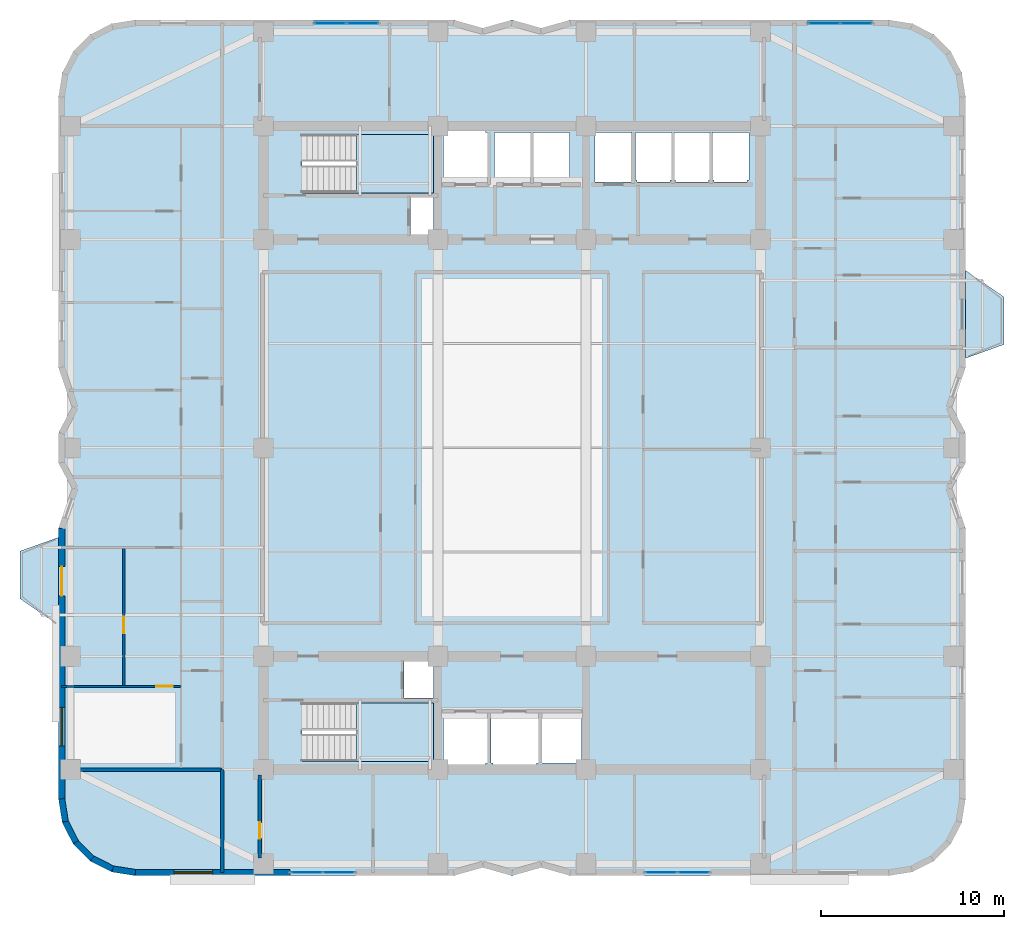
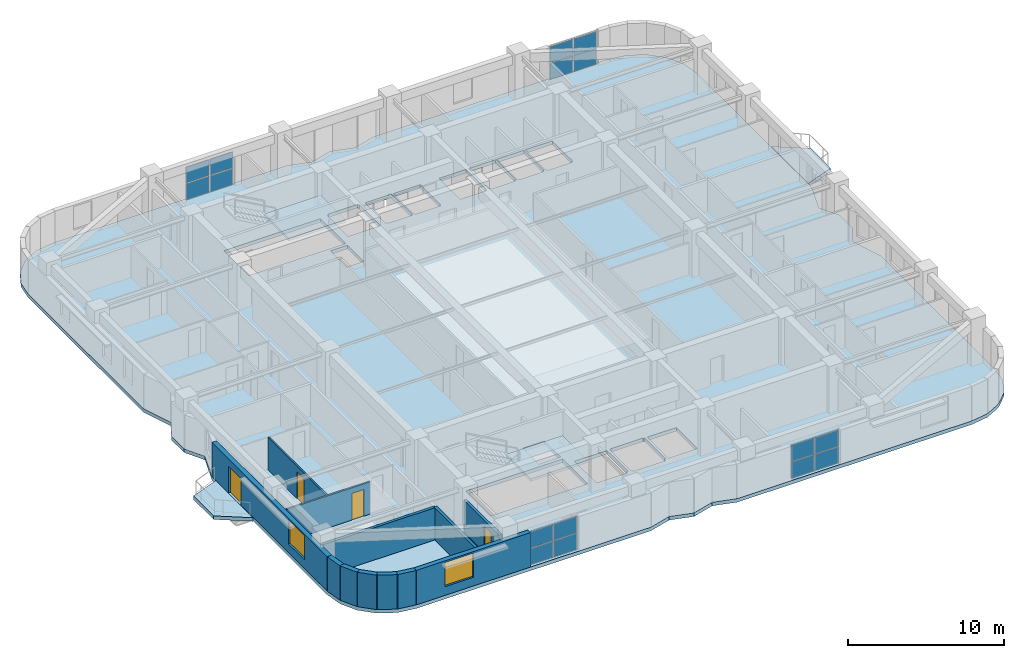
# One storey, part 7 of 15: 16 plates, 12 walls, 5 slabs, 4 doors, 2 windows, 6 openings, 6 elements without a shape of their own.
"""IFC4 building model written with IfcOpenShell, lengths in metres."""

import ifcopenshell
import ifcopenshell.guid

model = None  # the IFC model being written
_history = None  # IfcOwnerHistory: only IFC2X3 demands one
_inside = {}  # id of a spatial element -> (the spatial element, [elements in it])
_under = {}  # id of a project, library or spatial element -> (it, [spatial elements below it])
_declared = {}  # id of a project -> (the project, [libraries it declares])
_typed = {}  # id of a type object -> (the type object, [elements of that type])
_made_of = {}  # id of a material, layer set ... -> (it, [elements and type objects made of it])


def new_model(schema):
    """Start an empty IFC model of exactly this schema.

    Asked for "IFC4X3", IfcOpenShell would pick the latest addendum, in which some entities
    have other attributes; the version numbers below select the first issue.
    IFC2X3 requires an IfcOwnerHistory on every rooted entity: one is made here for all.
    """
    global model, _history
    if schema == "IFC4X3":
        model = ifcopenshell.file(schema_version=(4, 3, 0, 0))
    else:
        model = ifcopenshell.file(schema=schema)
    _inside.clear()
    _under.clear()
    _declared.clear()
    _typed.clear()
    _made_of.clear()
    _history = None
    if model.schema == "IFC2X3":
        org = make("IfcOrganization", Name="unknown")
        user = make(
            "IfcPersonAndOrganization",
            ThePerson=make("IfcPerson", FamilyName="unknown"),
            TheOrganization=org,
        )
        app = make(
            "IfcApplication",
            ApplicationDeveloper=org,
            Version="unknown",
            ApplicationFullName="unknown",
            ApplicationIdentifier="unknown",
        )
        _history = make(
            "IfcOwnerHistory",
            OwningUser=user,
            OwningApplication=app,
            ChangeAction="ADDED",
            CreationDate=0,
        )
    return model


def make(cls, **values):
    """One entity of the class cls with the attributes given. An attribute that is None is left unset."""
    return model.create_entity(
        cls, **{name: value for name, value in values.items() if value is not None}
    )


def rooted(cls, **values):
    """An entity with a GlobalId (a new one), such as an element, a storey or a relation."""
    return make(cls, GlobalId=ifcopenshell.guid.new(), OwnerHistory=_history, **values)


def si_unit(unit_type, name, prefix=None):
    """IfcSIUnit, for example si_unit("LENGTHUNIT", "METRE", prefix="MILLI")."""
    return make("IfcSIUnit", UnitType=unit_type, Prefix=prefix, Name=name)


def assignment(units):
    """IfcUnitAssignment: the units of a project."""
    return None if units is None else make("IfcUnitAssignment", Units=units)


def point(xyz):
    """IfcCartesianPoint."""
    return None if xyz is None else make("IfcCartesianPoint", Coordinates=xyz)


def direction(xyz):
    """IfcDirection."""
    return None if xyz is None else make("IfcDirection", DirectionRatios=xyz)


def frame(location, z_axis=None, x_axis=None):
    """IfcAxis2Placement3D, a coordinate frame: its origin and axes. An axis left out is left unset."""
    return make(
        "IfcAxis2Placement3D",
        Location=point(location),
        Axis=direction(z_axis),
        RefDirection=direction(x_axis),
    )


def frame_2d(location, x_axis=None):
    """IfcAxis2Placement2D, a coordinate frame in the plane: its origin and x axis."""
    return make(
        "IfcAxis2Placement2D", Location=point(location), RefDirection=direction(x_axis)
    )


def origin():
    """The frame at (0, 0, 0) with its axes left unset."""
    return frame((0.0, 0.0, 0.0))


def origin_2d():
    """The frame at (0, 0) in the plane with its x axis left unset."""
    return frame_2d((0.0, 0.0))


def place(relative_to, where):
    """IfcLocalPlacement: puts the frame where relative to a parent placement (None: the world)."""
    return make(
        "IfcLocalPlacement", PlacementRelTo=relative_to, RelativePlacement=where
    )


def context(
    kind, dimensions, precision=None, world=None, true_north=None, identifier=None
):
    """IfcGeometricRepresentationContext, for example the 3D "Model" context."""
    return make(
        "IfcGeometricRepresentationContext",
        ContextIdentifier=identifier,
        ContextType=kind,
        CoordinateSpaceDimension=dimensions,
        Precision=precision,
        WorldCoordinateSystem=world,
        TrueNorth=true_north,
    )


def subcontext(parent, identifier, kind, view, scale=None):
    """IfcGeometricRepresentationSubContext, for example "Body" below "Model"."""
    return make(
        "IfcGeometricRepresentationSubContext",
        ContextIdentifier=identifier,
        ContextType=kind,
        ParentContext=parent,
        TargetScale=scale,
        TargetView=view,
    )


def project(units=None, contexts=None):
    """IfcProject with its units and contexts."""
    return rooted(
        "IfcProject",
        Name="project",
        RepresentationContexts=contexts,
        UnitsInContext=assignment(units),
    )


def spatial(cls, under=None, at=None, **own):
    """A site, building, storey or space (cls), placed at a placement, below another one or the project."""
    s = rooted(cls, ObjectPlacement=at, **own)
    if under is not None:
        _under.setdefault(under.id(), (under, []))[1].append(s)
    return s


def polyline(points):
    """IfcPolyline through the points."""
    return make("IfcPolyline", Points=[point(p) for p in points])


def profile(cls, at=None, kind="AREA", **sizes):
    """A parametric profile (cls). Its sizes go by their IFC names, for example OverallWidth=200.0."""
    return make(cls, ProfileType=kind, Position=at, **sizes)


def rectangle(**sizes):
    """IfcRectangleProfileDef."""
    return profile("IfcRectangleProfileDef", **sizes)


def outline(outer, holes=None, kind="AREA"):
    """IfcArbitraryClosedProfileDef: a profile drawn as a closed curve; with holes, ...WithVoids."""
    if holes is None:
        return make("IfcArbitraryClosedProfileDef", ProfileType=kind, OuterCurve=outer)
    return make(
        "IfcArbitraryProfileDefWithVoids",
        ProfileType=kind,
        OuterCurve=outer,
        InnerCurves=holes,
    )


def extrude(swept, where, along, depth):
    """IfcExtrudedAreaSolid: the profile swept, set in the frame where, extruded along a direction by depth."""
    return make(
        "IfcExtrudedAreaSolid",
        SweptArea=swept,
        Position=where,
        ExtrudedDirection=direction(along),
        Depth=depth,
    )


def shape(context_of_items, identifier, shape_type, items):
    """IfcShapeRepresentation: the items that make up one representation, for example the "Body"."""
    return make(
        "IfcShapeRepresentation",
        ContextOfItems=context_of_items,
        RepresentationIdentifier=identifier,
        RepresentationType=shape_type,
        Items=items,
    )


def material(Name=None, Category=None):
    """IfcMaterial."""
    return make("IfcMaterial", Name=Name, Category=Category)


def layer(
    of_material, thickness, ventilated=None, Name=None, Category=None, Priority=None
):
    """IfcMaterialLayer: one layer of a wall or slab, of a material (None: an air gap)."""
    return make(
        "IfcMaterialLayer",
        Material=of_material,
        LayerThickness=thickness,
        IsVentilated=ventilated,
        Name=Name,
        Category=Category,
        Priority=Priority,
    )


def layer_set(layers, Name=None):
    """IfcMaterialLayerSet."""
    return make("IfcMaterialLayerSet", MaterialLayers=layers, LayerSetName=Name)


def made_of(thing, what):
    """Note that an element or type object is made of a material, layer set ...; save() writes the relation."""
    if what is not None:
        _made_of.setdefault(what.id(), (what, []))[1].append(thing)
    return thing


def type_object(cls, material=None, **own):
    """A type object (cls), such as IfcWallType, which elements share."""
    return made_of(rooted(cls, **own), material)


def element(
    cls,
    number,
    at=None,
    inside=None,
    cuts=None,
    type_object=None,
    material=None,
    context=None,
    identifier="Body",
    shape_type=None,
    held_by="IfcProductDefinitionShape",
    body=None,
    shapes=None,
    **own,
):
    """One element of the class cls, such as IfcWall. Its Tag is "e" and its number.

    at: its placement. inside: the storey or other place that contains it. cuts: it is an
    opening in that element (IfcRelVoidsElement). A single representation is given by context,
    identifier, shape_type and body (its items); several are given by shapes. held_by: the class
    of the entity that holds the representations. save() writes the other relations.
    """
    e = rooted(cls, Tag="e%d" % number, ObjectPlacement=at, **own)
    if body is not None:
        shapes = [shape(context, identifier, shape_type, body)]
    if shapes is not None:
        e.Representation = make(held_by, Representations=shapes)
    if inside is not None:
        _inside.setdefault(inside.id(), (inside, []))[1].append(e)
    if cuts is not None:
        rooted(
            "IfcRelVoidsElement", RelatingBuildingElement=cuts, RelatedOpeningElement=e
        )
    if type_object is not None:
        _typed.setdefault(type_object.id(), (type_object, []))[1].append(e)
    return made_of(e, material)


def fill(opening, filler):
    """IfcRelFillsElement: the door or window that sits in an opening."""
    return rooted(
        "IfcRelFillsElement",
        RelatingOpeningElement=opening,
        RelatedBuildingElement=filler,
    )


def aggregate(whole, parts):
    """IfcRelAggregates: a whole, such as a stair, and the parts it consists of."""
    return rooted("IfcRelAggregates", RelatingObject=whole, RelatedObjects=parts)


def save(model, path):
    """Write the relations noted so far, then the file.

    IfcRelAggregates (storeys below a building ...), IfcRelContainedInSpatialStructure (elements
    in a storey), IfcRelDefinesByType, IfcRelAssociatesMaterial and IfcRelDeclares: one each for
    every whole, place, type object, material and project.
    """
    for whole, parts in _under.values():
        aggregate(whole, parts)
    for where, things in _inside.values():
        rooted(
            "IfcRelContainedInSpatialStructure",
            RelatedElements=things,
            RelatingStructure=where,
        )
    for kind, things in _typed.values():
        rooted("IfcRelDefinesByType", RelatedObjects=things, RelatingType=kind)
    for what, things in _made_of.values():
        rooted("IfcRelAssociatesMaterial", RelatedObjects=things, RelatingMaterial=what)
    for by, libraries in _declared.values():
        rooted("IfcRelDeclares", RelatingContext=by, RelatedDefinitions=libraries)
    model.write(path)


model = new_model("IFC4")

# Units and contexts
model_context = context("Model", 3, precision=1e-05, world=origin(), true_north=direction((0.0, 1.0)))
body_context = subcontext(model_context, "Body", "Model", "MODEL_VIEW")
ifc_project = project(units=[si_unit("LENGTHUNIT", "METRE"), si_unit("AREAUNIT", "SQUARE_METRE"), si_unit("VOLUMEUNIT", "CUBIC_METRE"), si_unit("PLANEANGLEUNIT", "RADIAN"), si_unit("MASSUNIT", "GRAM", prefix="KILO")], contexts=[model_context])

# Site, building, storey
site_placement = place(None, origin())
site = spatial("IfcSite", under=ifc_project, at=site_placement, CompositionType="ELEMENT")
building_placement = place(site_placement, origin())
building = spatial("IfcBuilding", under=site, at=building_placement, Name="Svetorya Sky Lyceum", CompositionType="ELEMENT")
storey_placement = place(building_placement, frame((0.0, 0.0, 117.89990234375)))
storey = spatial("IfcBuildingStorey", under=building, at=storey_placement, Name="L29", CompositionType="ELEMENT", Elevation=117.89990234375)

# Curtain wall, plates
ifc_material_1 = material(Name="Thermally broken anodized aluminium and triple low-E glass", Category="aluminium")
curtain_wall_type = type_object("IfcCurtainWallType", Name="CW3-LOG-RES", PredefinedType="NOTDEFINED", material=ifc_material_1)
curtain_wall_1_placement = place(storey_placement, origin())
curtain_wall_1 = element("IfcCurtainWall", 1, at=curtain_wall_1_placement, inside=storey, type_object=curtain_wall_type, Name="L29 Recessed Loggia Curtain Wall 6", PredefinedType="NOTDEFINED")
ifc_material_2 = material(Name="Triple insulated low-E solar-control glass", Category="glass")
ifc_layer_1 = layer(ifc_material_2, 0.048095703125)
ifc_layer_set_1 = layer_set([ifc_layer_1], Name="Triple insulated low-E solar-control glass")
plate_type = type_object("IfcPlateType", Name="CWP-GLZ-48", PredefinedType="CURTAIN_PANEL", material=ifc_layer_set_1)
plate_1_placement = place(storey_placement, frame((27.96630859375, 4.969970703125, 0.0634765625), z_axis=(0.0, 0.0, 1.0), x_axis=(1.0, 0.0, 0.0)))
plate_1 = element("IfcPlate", 2, at=plate_1_placement, type_object=plate_type, Name="CW-3 panel 1.1", PredefinedType="CURTAIN_PANEL", context=body_context, shape_type="SweptSolid", body=[
    extrude(rectangle(XDim=1.70556640625, YDim=0.048095703125, at=origin_2d()), origin(), (0.0, 0.0, 1.0), 1.255615234375),
])
plate_2_placement = place(storey_placement, frame((27.96630859375, 4.969970703125, 1.380859375), z_axis=(0.0, 0.0, 1.0), x_axis=(1.0, 0.0, 0.0)))
plate_2 = element("IfcPlate", 3, at=plate_2_placement, type_object=plate_type, Name="CW-3 panel 1.2", PredefinedType="CURTAIN_PANEL", context=body_context, shape_type="SweptSolid", body=[
    extrude(rectangle(XDim=1.70556640625, YDim=0.048095703125, at=origin_2d()), origin(), (0.0, 0.0, 1.0), 1.255615234375),
])
plate_3_placement = place(storey_placement, frame((29.733642578125, 4.969970703125, 0.0634765625), z_axis=(0.0, 0.0, 1.0), x_axis=(1.0, 0.0, 0.0)))
plate_3 = element("IfcPlate", 4, at=plate_3_placement, type_object=plate_type, Name="CW-3 panel 2.1", PredefinedType="CURTAIN_PANEL", context=body_context, shape_type="SweptSolid", body=[
    extrude(rectangle(XDim=1.70556640625, YDim=0.048095703125, at=origin_2d()), origin(), (0.0, 0.0, 1.0), 1.255615234375),
])
plate_4_placement = place(storey_placement, frame((29.733642578125, 4.969970703125, 1.380859375), z_axis=(0.0, 0.0, 1.0), x_axis=(1.0, 0.0, 0.0)))
plate_4 = element("IfcPlate", 5, at=plate_4_placement, type_object=plate_type, Name="CW-3 panel 2.2", PredefinedType="CURTAIN_PANEL", context=body_context, shape_type="SweptSolid", body=[
    extrude(rectangle(XDim=1.70556640625, YDim=0.048095703125, at=origin_2d()), origin(), (0.0, 0.0, 1.0), 1.255615234375),
])
aggregate(curtain_wall_1, [plate_1, plate_2, plate_3, plate_4])

curtain_wall_2_placement = place(storey_placement, origin())
curtain_wall_2 = element("IfcCurtainWall", 6, at=curtain_wall_2_placement, inside=storey, type_object=curtain_wall_type, Name="L29 Recessed Loggia Curtain Wall 11", PredefinedType="NOTDEFINED")
plate_5_placement = place(storey_placement, frame((47.3662109375, 4.969970703125, 0.0634765625), z_axis=(0.0, 0.0, 1.0), x_axis=(1.0, 0.0, 0.0)))
plate_5 = element("IfcPlate", 7, at=plate_5_placement, type_object=plate_type, Name="CW-3 panel 1.1", PredefinedType="CURTAIN_PANEL", context=body_context, shape_type="SweptSolid", body=[
    extrude(rectangle(XDim=1.70556640625, YDim=0.048095703125, at=origin_2d()), origin(), (0.0, 0.0, 1.0), 1.255615234375),
])
plate_6_placement = place(storey_placement, frame((47.3662109375, 4.969970703125, 1.380859375), z_axis=(0.0, 0.0, 1.0), x_axis=(1.0, 0.0, 0.0)))
plate_6 = element("IfcPlate", 8, at=plate_6_placement, type_object=plate_type, Name="CW-3 panel 1.2", PredefinedType="CURTAIN_PANEL", context=body_context, shape_type="SweptSolid", body=[
    extrude(rectangle(XDim=1.70556640625, YDim=0.048095703125, at=origin_2d()), origin(), (0.0, 0.0, 1.0), 1.255615234375),
])
plate_7_placement = place(storey_placement, frame((49.1337890625, 4.969970703125, 0.0634765625), z_axis=(0.0, 0.0, 1.0), x_axis=(1.0, 0.0, 0.0)))
plate_7 = element("IfcPlate", 9, at=plate_7_placement, type_object=plate_type, Name="CW-3 panel 2.1", PredefinedType="CURTAIN_PANEL", context=body_context, shape_type="SweptSolid", body=[
    extrude(rectangle(XDim=1.70556640625, YDim=0.048095703125, at=origin_2d()), origin(), (0.0, 0.0, 1.0), 1.255615234375),
])
plate_8_placement = place(storey_placement, frame((49.1337890625, 4.969970703125, 1.380859375), z_axis=(0.0, 0.0, 1.0), x_axis=(1.0, 0.0, 0.0)))
plate_8 = element("IfcPlate", 10, at=plate_8_placement, type_object=plate_type, Name="CW-3 panel 2.2", PredefinedType="CURTAIN_PANEL", context=body_context, shape_type="SweptSolid", body=[
    extrude(rectangle(XDim=1.70556640625, YDim=0.048095703125, at=origin_2d()), origin(), (0.0, 0.0, 1.0), 1.255615234375),
])
aggregate(curtain_wall_2, [plate_5, plate_6, plate_7, plate_8])

curtain_wall_3_placement = place(storey_placement, origin())
curtain_wall_3 = element("IfcCurtainWall", 11, at=curtain_wall_3_placement, inside=storey, type_object=curtain_wall_type, Name="L29 Recessed Loggia Curtain Wall 29", PredefinedType="NOTDEFINED")
plate_9_placement = place(storey_placement, frame((58.03369140625, 51.429931640625, 0.0634765625), z_axis=(0.0, 0.0, 1.0), x_axis=(-1.0, 0.0, 0.0)))
plate_9 = element("IfcPlate", 12, at=plate_9_placement, type_object=plate_type, Name="CW-3 panel 1.1", PredefinedType="CURTAIN_PANEL", context=body_context, shape_type="SweptSolid", body=[
    extrude(rectangle(XDim=1.70556640625, YDim=0.048095703125, at=origin_2d()), origin(), (0.0, 0.0, 1.0), 1.255615234375),
])
plate_10_placement = place(storey_placement, frame((58.03369140625, 51.429931640625, 1.380859375), z_axis=(0.0, 0.0, 1.0), x_axis=(-1.0, 0.0, 0.0)))
plate_10 = element("IfcPlate", 13, at=plate_10_placement, type_object=plate_type, Name="CW-3 panel 1.2", PredefinedType="CURTAIN_PANEL", context=body_context, shape_type="SweptSolid", body=[
    extrude(rectangle(XDim=1.70556640625, YDim=0.048095703125, at=origin_2d()), origin(), (0.0, 0.0, 1.0), 1.255615234375),
])
plate_11_placement = place(storey_placement, frame((56.266357421875, 51.429931640625, 0.0634765625), z_axis=(0.0, 0.0, 1.0), x_axis=(-1.0, 0.0, 0.0)))
plate_11 = element("IfcPlate", 14, at=plate_11_placement, type_object=plate_type, Name="CW-3 panel 2.1", PredefinedType="CURTAIN_PANEL", context=body_context, shape_type="SweptSolid", body=[
    extrude(rectangle(XDim=1.70556640625, YDim=0.048095703125, at=origin_2d()), origin(), (0.0, 0.0, 1.0), 1.255615234375),
])
plate_12_placement = place(storey_placement, frame((56.266357421875, 51.429931640625, 1.380859375), z_axis=(0.0, 0.0, 1.0), x_axis=(-1.0, 0.0, 0.0)))
plate_12 = element("IfcPlate", 15, at=plate_12_placement, type_object=plate_type, Name="CW-3 panel 2.2", PredefinedType="CURTAIN_PANEL", context=body_context, shape_type="SweptSolid", body=[
    extrude(rectangle(XDim=1.70556640625, YDim=0.048095703125, at=origin_2d()), origin(), (0.0, 0.0, 1.0), 1.255615234375),
])
aggregate(curtain_wall_3, [plate_9, plate_10, plate_11, plate_12])

curtain_wall_4_placement = place(storey_placement, origin())
curtain_wall_4 = element("IfcCurtainWall", 16, at=curtain_wall_4_placement, inside=storey, type_object=curtain_wall_type, Name="L29 Recessed Loggia Curtain Wall 34", PredefinedType="NOTDEFINED")
plate_13_placement = place(storey_placement, frame((31.03369140625, 51.429931640625, 0.0634765625), z_axis=(0.0, 0.0, 1.0), x_axis=(-1.0, 0.0, 0.0)))
plate_13 = element("IfcPlate", 17, at=plate_13_placement, type_object=plate_type, Name="CW-3 panel 1.1", PredefinedType="CURTAIN_PANEL", context=body_context, shape_type="SweptSolid", body=[
    extrude(rectangle(XDim=1.70556640625, YDim=0.048095703125, at=origin_2d()), origin(), (0.0, 0.0, 1.0), 1.255615234375),
])
plate_14_placement = place(storey_placement, frame((31.03369140625, 51.429931640625, 1.380859375), z_axis=(0.0, 0.0, 1.0), x_axis=(-1.0, 0.0, 0.0)))
plate_14 = element("IfcPlate", 18, at=plate_14_placement, type_object=plate_type, Name="CW-3 panel 1.2", PredefinedType="CURTAIN_PANEL", context=body_context, shape_type="SweptSolid", body=[
    extrude(rectangle(XDim=1.70556640625, YDim=0.048095703125, at=origin_2d()), origin(), (0.0, 0.0, 1.0), 1.255615234375),
])
plate_15_placement = place(storey_placement, frame((29.266357421875, 51.429931640625, 0.0634765625), z_axis=(0.0, 0.0, 1.0), x_axis=(-1.0, 0.0, 0.0)))
plate_15 = element("IfcPlate", 19, at=plate_15_placement, type_object=plate_type, Name="CW-3 panel 2.1", PredefinedType="CURTAIN_PANEL", context=body_context, shape_type="SweptSolid", body=[
    extrude(rectangle(XDim=1.70556640625, YDim=0.048095703125, at=origin_2d()), origin(), (0.0, 0.0, 1.0), 1.255615234375),
])
plate_16_placement = place(storey_placement, frame((29.266357421875, 51.429931640625, 1.380859375), z_axis=(0.0, 0.0, 1.0), x_axis=(-1.0, 0.0, 0.0)))
plate_16 = element("IfcPlate", 20, at=plate_16_placement, type_object=plate_type, Name="CW-3 panel 2.2", PredefinedType="CURTAIN_PANEL", context=body_context, shape_type="SweptSolid", body=[
    extrude(rectangle(XDim=1.70556640625, YDim=0.048095703125, at=origin_2d()), origin(), (0.0, 0.0, 1.0), 1.255615234375),
])
aggregate(curtain_wall_4, [plate_13, plate_14, plate_15, plate_16])

# Slabs
ifc_material_3 = material(Name="Concrete C40/50", Category="concrete")
ifc_layer_2 = layer(ifc_material_3, 0.280029296875)
ifc_layer_set_2 = layer_set([ifc_layer_2], Name="Concrete C40/50")
slab_type_1 = type_object("IfcSlabType", Name="SL-BAL-280", PredefinedType="FLOOR", material=ifc_layer_set_2)
slab_1_placement = place(storey_placement, frame((0.0, 0.0, -0.27978515625)))
element("IfcSlab", 21, at=slab_1_placement, inside=storey, type_object=slab_type_1, Name="L29 Chamfered Loggia Balcony BAL-W1", PredefinedType="FLOOR", context=body_context, shape_type="SweptSolid", body=[
    extrude(outline(polyline([(14.389892578125, 18.5), (14.389892578125, 23.300048828125), (12.2900390625, 22.550048828125), (12.2900390625, 19.949951171875), (14.389892578125, 18.5)])), origin(), (0.0, 0.0, 1.0), 0.27978515625),
])
slab_2_placement = place(storey_placement, frame((0.0, 0.0, -0.27978515625)))
element("IfcSlab", 22, at=slab_2_placement, inside=storey, type_object=slab_type_1, Name="L29 Chamfered Loggia Balcony BAL-E1", PredefinedType="FLOOR", context=body_context, shape_type="SweptSolid", body=[
    extrude(outline(polyline([(64.010009765625, 33.10009765625), (66.110107421875, 33.85009765625), (66.110107421875, 36.449951171875), (64.010009765625, 37.89990234375), (64.010009765625, 33.10009765625)])), origin(), (0.0, 0.0, 1.0), 0.27978515625),
])

# Stair, slab
stair_type_1 = type_object("IfcStairType", Name="STR-ST-S", PredefinedType="HALF_TURN_STAIR", material=ifc_material_3)
stair_1_placement = place(storey_placement, origin())
stair_1 = element("IfcStair", 23, at=stair_1_placement, inside=storey, type_object=stair_type_1, Name="L29 South Core Smoke-Free Exit Stair N2", PredefinedType="HALF_TURN_STAIR")
ifc_layer_3 = layer(ifc_material_3, 0.199951171875)
ifc_layer_set_3 = layer_set([ifc_layer_3], Name="Concrete C40/50")
slab_type_2 = type_object("IfcSlabType", Name="SL-STR-LAND-200", PredefinedType="LANDING", material=ifc_layer_set_3)
slab_3_placement = place(storey_placement, frame((0.0, 0.0, 1.650146484375)))
slab_3 = element("IfcSlab", 24, at=slab_3_placement, type_object=slab_type_2, Name="ST-S landing 1", PredefinedType="LANDING", context=body_context, shape_type="SweptSolid", body=[
    extrude(outline(polyline([(30.699951171875, 11.050048828125), (34.89990234375, 11.050048828125), (34.89990234375, 14.25), (30.699951171875, 14.25), (30.699951171875, 11.050048828125)])), origin(), (0.0, 0.0, 1.0), 0.199951171875),
])
aggregate(stair_1, [slab_3])

stair_type_2 = type_object("IfcStairType", Name="STR-ST-N", PredefinedType="HALF_TURN_STAIR", material=ifc_material_3)
stair_2_placement = place(storey_placement, origin())
stair_2 = element("IfcStair", 25, at=stair_2_placement, inside=storey, type_object=stair_type_2, Name="L29 North Core Smoke-Free Exit Stair N3", PredefinedType="HALF_TURN_STAIR")
slab_4_placement = place(storey_placement, frame((0.0, 0.0, 1.650146484375)))
slab_4 = element("IfcSlab", 26, at=slab_4_placement, type_object=slab_type_2, Name="ST-N landing 1", PredefinedType="LANDING", context=body_context, shape_type="SweptSolid", body=[
    extrude(outline(polyline([(30.699951171875, 42.14990234375), (34.89990234375, 42.14990234375), (34.89990234375, 45.35009765625), (30.699951171875, 45.35009765625), (30.699951171875, 42.14990234375)])), origin(), (0.0, 0.0, 1.0), 0.199951171875),
])
aggregate(stair_2, [slab_4])

# Slab
ifc_material_4 = material(Name="Concrete C50/60", Category="concrete")
ifc_layer_4 = layer(ifc_material_4, 0.280029296875)
ifc_layer_set_4 = layer_set([ifc_layer_4], Name="Concrete C50/60")
slab_type_3 = type_object("IfcSlabType", Name="SL-TWR-280", PredefinedType="FLOOR", material=ifc_layer_set_4)
slab_5_placement = place(storey_placement, frame((0.0, 0.0, -0.27978515625)))
element("IfcSlab", 27, at=slab_5_placement, inside=storey, type_object=slab_type_3, Name="L29 Structural Floor Slab", PredefinedType="FLOOR", context=body_context, shape_type="SweptSolid", body=[
    extrude(outline(polyline([(14.39990234375, 9.0), (14.605712890625, 7.7021484375), (15.2021484375, 6.53125), (16.13134765625, 5.60205078125), (17.302001953125, 5.005615234375), (18.60009765625, 4.800048828125), (36.0, 4.800048828125), (37.60009765625, 5.25), (39.199951171875, 4.800048828125), (40.800048828125, 5.25), (42.39990234375, 4.800048828125), (59.800048828125, 4.800048828125), (61.097900390625, 5.005615234375), (62.268798828125, 5.60205078125), (63.197998046875, 6.53125), (63.79443359375, 7.7021484375), (64.0, 9.0), (64.0, 23.800048828125), (63.25, 26.0), (64.0, 27.39990234375), (64.0, 29.0), (63.25, 30.39990234375), (64.0, 32.60009765625), (64.0, 47.39990234375), (63.79443359375, 48.697998046875), (63.197998046875, 49.86865234375), (62.268798828125, 50.7978515625), (61.097900390625, 51.394287109375), (59.800048828125, 51.60009765625), (42.39990234375, 51.60009765625), (40.800048828125, 51.14990234375), (39.199951171875, 51.60009765625), (37.60009765625, 51.14990234375), (36.0, 51.60009765625), (18.60009765625, 51.60009765625), (17.302001953125, 51.394287109375), (16.13134765625, 50.7978515625), (15.2021484375, 49.86865234375), (14.605712890625, 48.697998046875), (14.39990234375, 47.39990234375), (14.39990234375, 32.60009765625), (15.14990234375, 30.39990234375), (14.39990234375, 29.0), (14.39990234375, 27.39990234375), (15.14990234375, 26.0), (14.39990234375, 23.800048828125), (14.39990234375, 9.0)]), holes=[polyline([(37.85009765625, 10.949951171875), (37.75, 10.949951171875), (37.75, 10.85009765625), (35.550048828125, 10.85009765625), (35.550048828125, 10.949951171875), (35.449951171875, 10.949951171875), (35.449951171875, 13.64990234375), (35.550048828125, 13.64990234375), (37.75, 13.64990234375), (37.85009765625, 13.64990234375), (37.85009765625, 10.949951171875)]), polyline([(40.64990234375, 13.64990234375), (40.64990234375, 10.949951171875), (40.550048828125, 10.949951171875), (40.550048828125, 10.800048828125), (38.14990234375, 10.800048828125), (38.14990234375, 10.949951171875), (38.050048828125, 10.949951171875), (38.050048828125, 13.64990234375), (38.14990234375, 13.64990234375), (38.14990234375, 13.699951171875), (40.550048828125, 13.699951171875), (40.550048828125, 13.64990234375), (40.64990234375, 13.64990234375)]), polyline([(27.719970703125, 14.25), (34.89990234375, 14.25), (34.89990234375, 11.050048828125), (27.719970703125, 11.050048828125), (27.719970703125, 14.25)]), polyline([(33.300048828125, 14.52001953125), (33.300048828125, 16.580078125), (34.89990234375, 16.580078125), (34.89990234375, 14.52001953125), (33.300048828125, 14.52001953125)]), polyline([(33.64990234375, 41.89990234375), (34.89990234375, 41.89990234375), (34.89990234375, 39.820068359375), (33.64990234375, 39.820068359375), (33.64990234375, 41.89990234375)]), polyline([(27.719970703125, 45.35009765625), (34.89990234375, 45.35009765625), (34.89990234375, 42.14990234375), (27.719970703125, 42.14990234375), (27.719970703125, 45.35009765625)]), polyline([(37.75, 45.550048828125), (37.75, 45.449951171875), (37.85009765625, 45.449951171875), (37.85009765625, 42.75), (37.75, 42.75), (35.550048828125, 42.75), (35.449951171875, 42.75), (35.449951171875, 45.449951171875), (35.550048828125, 45.449951171875), (35.550048828125, 45.550048828125), (37.75, 45.550048828125)]), polyline([(38.39990234375, 42.85009765625), (38.25, 42.85009765625), (38.25, 45.449951171875), (38.39990234375, 45.449951171875), (40.199951171875, 45.449951171875), (40.25, 45.449951171875), (40.25, 42.85009765625), (40.199951171875, 42.85009765625), (40.199951171875, 42.75), (38.39990234375, 42.75), (38.39990234375, 42.85009765625)]), polyline([(40.85009765625, 13.64990234375), (43.0, 13.64990234375), (43.0, 10.949951171875), (40.85009765625, 10.949951171875), (40.85009765625, 13.64990234375)]), polyline([(40.39990234375, 42.85009765625), (40.35009765625, 42.85009765625), (40.35009765625, 45.449951171875), (40.39990234375, 45.449951171875), (42.300048828125, 45.449951171875), (42.35009765625, 45.449951171875), (42.35009765625, 42.85009765625), (42.300048828125, 42.85009765625), (42.300048828125, 42.75), (40.39990234375, 42.75), (40.39990234375, 42.85009765625)]), polyline([(43.75, 42.75), (43.75, 42.85009765625), (43.75, 45.449951171875), (45.699951171875, 45.449951171875), (45.75, 45.449951171875), (45.75, 42.85009765625), (45.699951171875, 42.85009765625), (45.699951171875, 42.75), (43.75, 42.75)]), polyline([(46.050048828125, 42.85009765625), (45.949951171875, 42.85009765625), (45.949951171875, 45.449951171875), (46.050048828125, 45.449951171875), (47.85009765625, 45.449951171875), (47.949951171875, 45.449951171875), (47.949951171875, 42.85009765625), (47.85009765625, 42.85009765625), (47.85009765625, 42.75), (46.050048828125, 42.75), (46.050048828125, 42.85009765625)]), polyline([(48.14990234375, 42.85009765625), (48.050048828125, 42.85009765625), (48.050048828125, 45.449951171875), (48.14990234375, 45.449951171875), (49.949951171875, 45.449951171875), (50.050048828125, 45.449951171875), (50.050048828125, 42.85009765625), (49.949951171875, 42.85009765625), (49.949951171875, 42.75), (48.14990234375, 42.75), (48.14990234375, 42.85009765625)]), polyline([(52.14990234375, 42.85009765625), (52.050048828125, 42.85009765625), (52.050048828125, 42.75), (50.25, 42.75), (50.25, 42.85009765625), (50.14990234375, 42.85009765625), (50.14990234375, 45.449951171875), (50.25, 45.449951171875), (52.050048828125, 45.449951171875), (52.14990234375, 45.449951171875), (52.14990234375, 42.85009765625)])]), origin(), (0.0, 0.0, 1.0), 0.27978515625),
])

# Walls
ifc_material_5 = material(Name="Putilovo limestone rainscreen on autoclaved cellular masonry", Category="masonry")
ifc_layer_5 = layer(ifc_material_5, 0.340087890625)
ifc_layer_set_5 = layer_set([ifc_layer_5], Name="Putilovo limestone rainscreen on autoclaved cellular masonry")
wall_type_1 = type_object("IfcWallType", Name="WL-EXT-340", PredefinedType="SOLIDWALL", material=ifc_layer_set_5)
wall_1_placement = place(storey_placement, frame((14.570068359375, 9.0, 0.0), z_axis=(0.0, 0.0, 1.0), x_axis=(0.156260864002, -0.98771582066, 0.0)))
element("IfcWall", 28, at=wall_1_placement, inside=storey, type_object=wall_type_1, Name="L29 Limestone Exterior Wall 1M", PredefinedType="SOLIDWALL", context=body_context, shape_type="SweptSolid", body=[
    extrude(rectangle(XDim=1.2607421875, YDim=0.340087890625, at=frame_2d((0.63037109375, 0.0))), origin(), (0.0, 0.0, 1.0), 2.7001953125),
])
wall_2_placement = place(storey_placement, frame((14.76708984375, 7.754638671875, 0.0), z_axis=(0.0, 0.0, 1.0), x_axis=(0.454015689056, -0.890993689142, 0.0)))
element("IfcWall", 29, at=wall_2_placement, inside=storey, type_object=wall_type_1, Name="L29 Limestone Exterior Wall 2M", PredefinedType="SOLIDWALL", context=body_context, shape_type="SweptSolid", body=[
    extrude(rectangle(XDim=1.260986328125, YDim=0.340087890625, at=frame_2d((0.63037109375, 0.0))), origin(), (0.0, 0.0, 1.0), 2.7001953125),
])
wall_3_placement = place(storey_placement, frame((15.339599609375, 6.631103515625, 0.0), z_axis=(0.0, 0.0, 1.0), x_axis=(0.707203598708, -0.707009950407, 0.0)))
element("IfcWall", 30, at=wall_3_placement, inside=storey, type_object=wall_type_1, Name="L29 Limestone Exterior Wall 3M", PredefinedType="SOLIDWALL", context=body_context, shape_type="SweptSolid", body=[
    extrude(rectangle(XDim=1.2607421875, YDim=0.340087890625, at=frame_2d((0.63037109375, 0.0))), origin(), (0.0, 0.0, 1.0), 2.7001953125),
])
for number, where, z_axis, x_axis, name in (
    (31, (16.231201171875, 5.73974609375, 0.0), (0.0, 0.0, 1.0), (0.890993689142, -0.454015689056, 0.0), "L29 Limestone Exterior Wall 4M"),
    (32, (17.354736328125, 5.167236328125, 0.0), (0.0, 0.0, 1.0), (0.987685918112, -0.15644975923, 0.0), "L29 Limestone Exterior Wall 5M"),
):
    element("IfcWall", number, at=place(storey_placement, frame(where, z_axis=z_axis, x_axis=x_axis)), inside=storey, type_object=wall_type_1, Name=name, PredefinedType="SOLIDWALL", context=body_context, shape_type="SweptSolid", body=[
        extrude(rectangle(XDim=1.260986328125, YDim=0.340087890625, at=frame_2d((0.63037109375, 0.0))), origin(), (0.0, 0.0, 1.0), 2.7001953125),
    ])

# Wall, opening, window
wall_4_placement = place(storey_placement, frame((18.60009765625, 4.969970703125, 0.0), z_axis=(0.0, 0.0, 1.0), x_axis=(1.0, 0.0, 0.0)))
wall_4 = element("IfcWall", 33, at=wall_4_placement, inside=storey, type_object=wall_type_1, Name="L29 Limestone Exterior Wall 6A", PredefinedType="SOLIDWALL", context=body_context, shape_type="SweptSolid", body=[
    extrude(rectangle(XDim=8.449951171875, YDim=0.340087890625, at=frame_2d((4.22509765625, 0.0))), origin(), (0.0, 0.0, 1.0), 2.7001953125),
])
opening_1_placement = place(wall_4_placement, frame((2.125, 0.0, 0.679931640625)))
opening_1 = element("IfcOpeningElement", 34, at=opening_1_placement, cuts=wall_4, Name="Opening W-R0", PredefinedType="OPENING", context=body_context, shape_type="SweptSolid", body=[
    extrude(rectangle(XDim=2.10009765625, YDim=1.89990234375, at=frame_2d((1.050048828125, 0.949951171875))), frame((0.0, 0.179931640625, 0.0), z_axis=(0.0, -1.0, 0.0), x_axis=(1.0, 0.0, 0.0)), (0.0, 0.0, 1.0), 0.360107421875),
])
ifc_material_6 = material(Name="Thermally broken aluminium frame with triple low-E glazing", Category="aluminium")
window_type = type_object("IfcWindowType", Name="WN-RES-210", PartitioningType="TRIPLE_PANEL_VERTICAL", PredefinedType="WINDOW", material=ifc_material_6)
window_1_placement = place(opening_1_placement, origin())
window_1 = element("IfcWindow", 35, at=window_1_placement, inside=storey, type_object=window_type, Name="L29 Facade Window W-R0.6A.1", OverallHeight=1.89990234375, OverallWidth=2.10009765625, PartitioningType="SINGLE_PANEL", PredefinedType="WINDOW", context=body_context, shape_type="SweptSolid", body=[
    extrude(rectangle(XDim=2.10009765625, YDim=1.89990234375, at=frame_2d((1.050048828125, 0.949951171875))), frame((0.0, 0.030029296875, 0.0), z_axis=(0.0, -1.0, 0.0), x_axis=(1.0, 0.0, 0.0)), (0.0, 0.0, 1.0), 0.06005859375),
])
fill(opening_1, window_1)

# Wall, openings, door, window
wall_5_placement = place(storey_placement, frame((14.570068359375, 23.800048828125, 0.0), z_axis=(0.0, 0.0, 1.0), x_axis=(0.0, -1.0, 0.0)))
wall_5 = element("IfcWall", 36, at=wall_5_placement, inside=storey, type_object=wall_type_1, Name="L29 Limestone Exterior Wall 46M", PredefinedType="SOLIDWALL", context=body_context, shape_type="SweptSolid", body=[
    extrude(rectangle(XDim=14.800048828125, YDim=0.340087890625, at=frame_2d((7.39990234375, 0.0))), origin(), (0.0, 0.0, 1.0), 2.7001953125),
])
opening_2_placement = place(wall_5_placement, frame((2.10009765625, 0.0, 0.0)))
opening_2 = element("IfcOpeningElement", 37, at=opening_2_placement, cuts=wall_5, Name="Opening D-BL1", PredefinedType="OPENING", context=body_context, shape_type="SweptSolid", body=[
    extrude(rectangle(XDim=1.60009765625, YDim=2.10009765625, at=frame_2d((0.800048828125, 1.050048828125))), frame((0.0, 0.179931640625, 0.0), z_axis=(0.0, -1.0, 0.0), x_axis=(1.0, 0.0, 0.0)), (0.0, 0.0, 1.0), 0.360107421875),
])
opening_3_placement = place(wall_5_placement, frame((9.800048828125, 0.0, 0.679931640625)))
opening_3 = element("IfcOpeningElement", 38, at=opening_3_placement, cuts=wall_5, Name="Opening W-R0", PredefinedType="OPENING", context=body_context, shape_type="SweptSolid", body=[
    extrude(rectangle(XDim=2.10009765625, YDim=1.89990234375, at=frame_2d((1.050048828125, 0.949951171875))), frame((0.0, 0.179931640625, 0.0), z_axis=(0.0, -1.0, 0.0), x_axis=(1.0, 0.0, 0.0)), (0.0, 0.0, 1.0), 0.360107421875),
])
ifc_material_7 = material(Name="Insulated glazed aluminium balcony door", Category="aluminium")
door_type_1 = type_object("IfcDoorType", Name="DR-BAL-1600", OperationType="DOUBLE_DOOR_SINGLE_SWING", PredefinedType="DOOR", material=ifc_material_7)
door_1_placement = place(opening_2_placement, origin())
door_1 = element("IfcDoor", 39, at=door_1_placement, inside=storey, type_object=door_type_1, Name="L29 Balcony BAL-W1 Door", OperationType="DOUBLE_DOOR_SINGLE_SWING", OverallHeight=2.10009765625, OverallWidth=1.60009765625, PredefinedType="DOOR", context=body_context, shape_type="SweptSolid", body=[
    extrude(rectangle(XDim=1.60009765625, YDim=2.10009765625, at=frame_2d((0.800048828125, 1.050048828125))), frame((0.0, 0.02490234375, 0.0), z_axis=(0.0, -1.0, 0.0), x_axis=(1.0, 0.0, 0.0)), (0.0, 0.0, 1.0), 0.050048828125),
])
fill(opening_2, door_1)
window_2_placement = place(opening_3_placement, origin())
window_2 = element("IfcWindow", 40, at=window_2_placement, inside=storey, type_object=window_type, Name="L29 Facade Window W-R0.46M.1", OverallHeight=1.89990234375, OverallWidth=2.10009765625, PartitioningType="SINGLE_PANEL", PredefinedType="WINDOW", context=body_context, shape_type="SweptSolid", body=[
    extrude(rectangle(XDim=2.10009765625, YDim=1.89990234375, at=frame_2d((1.050048828125, 0.949951171875))), frame((0.0, 0.030029296875, 0.0), z_axis=(0.0, -1.0, 0.0), x_axis=(1.0, 0.0, 0.0)), (0.0, 0.0, 1.0), 0.06005859375),
])
fill(opening_3, window_2)

# Wall, opening, door
ifc_material_8 = material(Name="Twin-stud galvanized framing with double fireboard", Category="gypsum")
ifc_layer_6 = layer(ifc_material_8, 0.1201171875)
ifc_layer_set_6 = layer_set([ifc_layer_6], Name="Twin-stud galvanized framing with double fireboard")
wall_type_2 = type_object("IfcWallType", Name="WL-PART-120", PredefinedType="PARTITIONING", material=ifc_layer_set_6)
wall_6_placement = place(storey_placement, frame((17.96630859375, 15.18994140625, 0.0), z_axis=(0.0, 0.0, 1.0), x_axis=(0.0, 1.0, 0.0)))
wall_6 = element("IfcWall", 41, at=wall_6_placement, inside=storey, type_object=wall_type_2, Name="L29 Interior Partition W1-BVD1", PredefinedType="PARTITIONING", context=body_context, shape_type="SweptSolid", body=[
    extrude(rectangle(XDim=7.52001953125, YDim=0.1201171875, at=frame_2d((3.760009765625, 0.0))), origin(), (0.0, 0.0, 1.0), 2.530029296875),
])
opening_4_placement = place(wall_6_placement, frame((2.860107421875, 0.0, 0.0)))
opening_4 = element("IfcOpeningElement", 42, at=opening_4_placement, cuts=wall_6, Name="Opening D-RM1", PredefinedType="OPENING", context=body_context, shape_type="SweptSolid", body=[
    extrude(rectangle(XDim=0.89990234375, YDim=2.10009765625, at=frame_2d((0.449951171875, 1.050048828125))), frame((0.0, 0.070068359375, 0.0), z_axis=(0.0, -1.0, 0.0), x_axis=(1.0, 0.0, 0.0)), (0.0, 0.0, 1.0), 0.14013671875),
])
ifc_material_9 = material(Name="Lacquered birch veneer internal door")
door_type_2 = type_object("IfcDoorType", Name="DR-INT-900", OperationType="SINGLE_SWING_LEFT", PredefinedType="DOOR", material=ifc_material_9)
door_2_placement = place(opening_4_placement, origin())
door_2 = element("IfcDoor", 43, at=door_2_placement, inside=storey, type_object=door_type_2, Name="Apartment W1 Suite Bedroom Door", OperationType="SINGLE_SWING_LEFT", OverallHeight=2.10009765625, OverallWidth=0.89990234375, PredefinedType="DOOR", context=body_context, shape_type="SweptSolid", body=[
    extrude(rectangle(XDim=0.89990234375, YDim=2.10009765625, at=frame_2d((0.449951171875, 1.050048828125))), frame((0.0, 0.02490234375, 0.0), z_axis=(0.0, -1.0, 0.0), x_axis=(1.0, 0.0, 0.0)), (0.0, 0.0, 1.0), 0.050048828125),
])
fill(opening_4, door_2)

wall_7_placement = place(storey_placement, frame((14.570068359375, 15.14990234375, 0.0), z_axis=(0.0, 0.0, 1.0), x_axis=(1.0, 0.0, 0.0)))
wall_7 = element("IfcWall", 44, at=wall_7_placement, inside=storey, type_object=wall_type_2, Name="L29 Interior Partition W1-WL1", PredefinedType="PARTITIONING", context=body_context, shape_type="SweptSolid", body=[
    extrude(rectangle(XDim=6.530029296875, YDim=0.1201171875, at=frame_2d((3.26513671875, 0.0))), origin(), (0.0, 0.0, 1.0), 2.530029296875),
])
opening_5_placement = place(wall_7_placement, frame((5.179931640625, 0.0, 0.0)))
opening_5 = element("IfcOpeningElement", 45, at=opening_5_placement, cuts=wall_7, Name="Opening D-RM1", PredefinedType="OPENING", context=body_context, shape_type="SweptSolid", body=[
    extrude(rectangle(XDim=0.89990234375, YDim=2.10009765625, at=frame_2d((0.449951171875, 1.050048828125))), frame((0.0, 0.070068359375, 0.0), z_axis=(0.0, -1.0, 0.0), x_axis=(1.0, 0.0, 0.0)), (0.0, 0.0, 1.0), 0.14013671875),
])
door_3_placement = place(opening_5_placement, origin())
door_3 = element("IfcDoor", 46, at=door_3_placement, inside=storey, type_object=door_type_2, Name="Apartment W1 Master Bedroom Door", OperationType="SINGLE_SWING_LEFT", OverallHeight=2.10009765625, OverallWidth=0.89990234375, PredefinedType="DOOR", context=body_context, shape_type="SweptSolid", body=[
    extrude(rectangle(XDim=0.89990234375, YDim=2.10009765625, at=frame_2d((0.449951171875, 1.050048828125))), frame((0.0, 0.02490234375, 0.0), z_axis=(0.0, -1.0, 0.0), x_axis=(1.0, 0.0, 0.0)), (0.0, 0.0, 1.0), 0.050048828125),
])
fill(opening_5, door_3)

# Walls
ifc_material_10 = material(Name="Autoclaved cellular masonry blockwork with gypsum plaster", Category="masonry")
ifc_layer_7 = layer(ifc_material_10, 0.199951171875)
ifc_layer_set_7 = layer_set([ifc_layer_7], Name="Autoclaved cellular masonry blockwork with gypsum plaster")
wall_type_3 = type_object("IfcWallType", Name="WL-PART-200", PredefinedType="PARTITIONING", material=ifc_layer_set_7)
wall_8_placement = place(storey_placement, frame((14.989990234375, 10.60009765625, 0.0), z_axis=(0.0, 0.0, 1.0), x_axis=(1.0, 0.0, 0.0)))
element("IfcWall", 47, at=wall_8_placement, inside=storey, type_object=wall_type_3, Name="L29 Interior Partition W-CAP-S", PredefinedType="PARTITIONING", context=body_context, shape_type="SweptSolid", body=[
    extrude(rectangle(XDim=8.360107421875, YDim=0.199951171875, at=frame_2d((4.18017578125, 0.0))), origin(), (0.0, 0.0, 1.0), 2.530029296875),
])
wall_9_placement = place(storey_placement, frame((23.35009765625, 4.969970703125, 0.0), z_axis=(0.0, 0.0, 1.0), x_axis=(0.0, 1.0, 0.0)))
element("IfcWall", 48, at=wall_9_placement, inside=storey, type_object=wall_type_3, Name="L29 Interior Partition WC-SW-END", PredefinedType="PARTITIONING", context=body_context, shape_type="SweptSolid", body=[
    extrude(rectangle(XDim=5.630126953125, YDim=0.199951171875, at=frame_2d((2.81494140625, 0.0))), origin(), (0.0, 0.0, 1.0), 2.530029296875),
])

# Wall, opening, door
wall_10_placement = place(storey_placement, frame((25.39990234375, 5.77001953125, 0.0), z_axis=(0.0, 0.0, 1.0), x_axis=(0.0, 1.0, 0.0)))
wall_10 = element("IfcWall", 49, at=wall_10_placement, inside=storey, type_object=wall_type_3, Name="L29 Interior Partition S-EW", PredefinedType="PARTITIONING", context=body_context, shape_type="SweptSolid", body=[
    extrude(rectangle(XDim=4.530029296875, YDim=0.199951171875, at=frame_2d((2.26513671875, 0.0))), origin(), (0.0, 0.0, 1.0), 2.530029296875),
])
opening_6_placement = place(wall_10_placement, frame((1.050048828125, 0.0, 0.0)))
opening_6 = element("IfcOpeningElement", 50, at=opening_6_placement, cuts=wall_10, Name="Opening D-RM1", PredefinedType="OPENING", context=body_context, shape_type="SweptSolid", body=[
    extrude(rectangle(XDim=0.89990234375, YDim=2.10009765625, at=frame_2d((0.449951171875, 1.050048828125))), frame((0.0, 0.10986328125, 0.0), z_axis=(0.0, -1.0, 0.0), x_axis=(1.0, 0.0, 0.0)), (0.0, 0.0, 1.0), 0.219970703125),
])
door_4_placement = place(opening_6_placement, origin())
door_4 = element("IfcDoor", 51, at=door_4_placement, inside=storey, type_object=door_type_2, Name="L29 South Study Door", OperationType="SINGLE_SWING_LEFT", OverallHeight=2.10009765625, OverallWidth=0.89990234375, PredefinedType="DOOR", context=body_context, shape_type="SweptSolid", body=[
    extrude(rectangle(XDim=0.89990234375, YDim=2.10009765625, at=frame_2d((0.449951171875, 1.050048828125))), frame((0.0, 0.02490234375, 0.0), z_axis=(0.0, -1.0, 0.0), x_axis=(1.0, 0.0, 0.0)), (0.0, 0.0, 1.0), 0.050048828125),
])
fill(opening_6, door_4)

save(model, "model.ifc")
